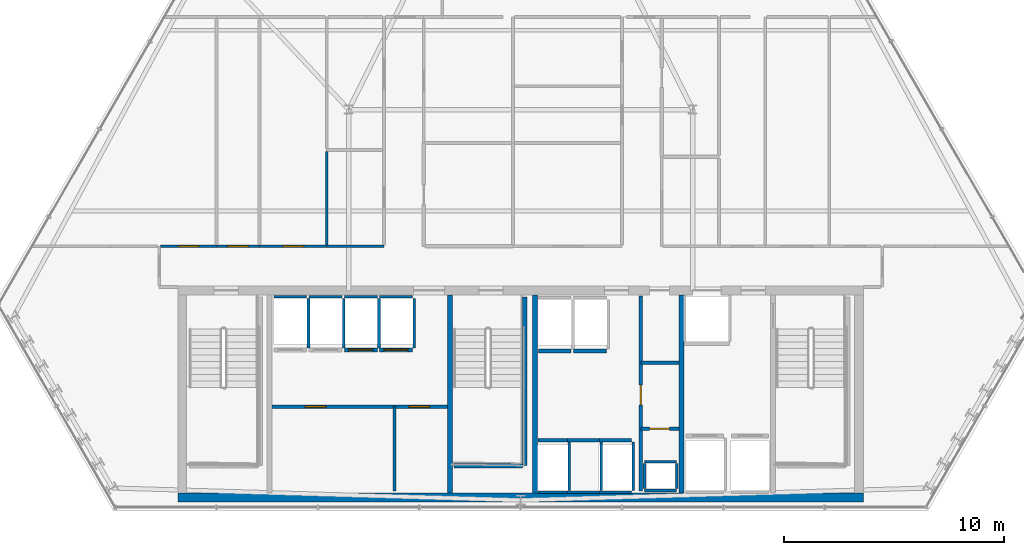
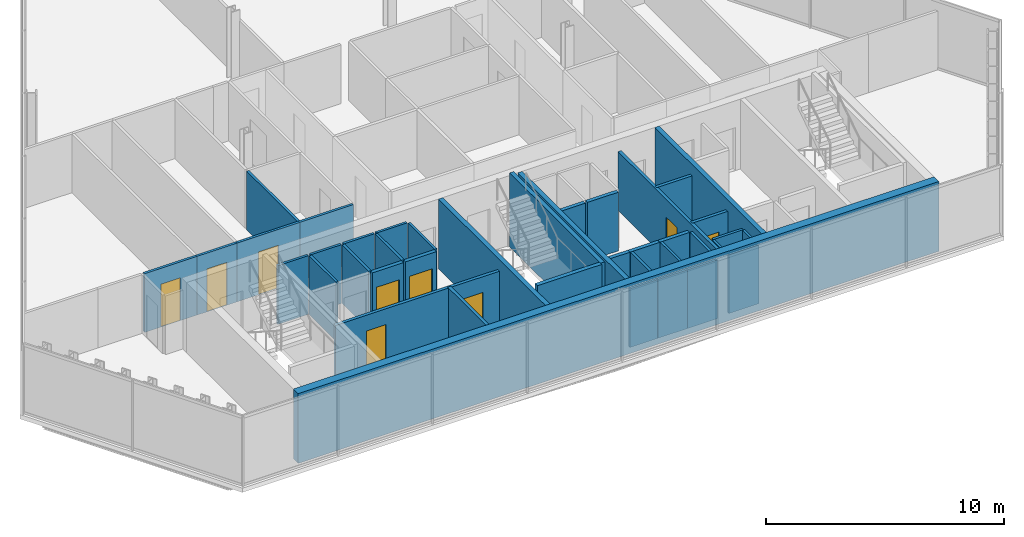
# One storey, part 27 of 33: 41 walls, 9 doors, 9 openings.
"""IFC4 building model written with IfcOpenShell, lengths in metres."""

import ifcopenshell
import ifcopenshell.guid

model = None  # the IFC model being written
_history = None  # IfcOwnerHistory: only IFC2X3 demands one
_inside = {}  # id of a spatial element -> (the spatial element, [elements in it])
_under = {}  # id of a project, library or spatial element -> (it, [spatial elements below it])
_declared = {}  # id of a project -> (the project, [libraries it declares])
_typed = {}  # id of a type object -> (the type object, [elements of that type])
_made_of = {}  # id of a material, layer set ... -> (it, [elements and type objects made of it])


def new_model(schema):
    """Start an empty IFC model of exactly this schema.

    Asked for "IFC4X3", IfcOpenShell would pick the latest addendum, in which some entities
    have other attributes; the version numbers below select the first issue.
    IFC2X3 requires an IfcOwnerHistory on every rooted entity: one is made here for all.
    """
    global model, _history
    if schema == "IFC4X3":
        model = ifcopenshell.file(schema_version=(4, 3, 0, 0))
    else:
        model = ifcopenshell.file(schema=schema)
    _inside.clear()
    _under.clear()
    _declared.clear()
    _typed.clear()
    _made_of.clear()
    _history = None
    if model.schema == "IFC2X3":
        org = make("IfcOrganization", Name="unknown")
        user = make(
            "IfcPersonAndOrganization",
            ThePerson=make("IfcPerson", FamilyName="unknown"),
            TheOrganization=org,
        )
        app = make(
            "IfcApplication",
            ApplicationDeveloper=org,
            Version="unknown",
            ApplicationFullName="unknown",
            ApplicationIdentifier="unknown",
        )
        _history = make(
            "IfcOwnerHistory",
            OwningUser=user,
            OwningApplication=app,
            ChangeAction="ADDED",
            CreationDate=0,
        )
    return model


def make(cls, **values):
    """One entity of the class cls with the attributes given. An attribute that is None is left unset."""
    return model.create_entity(
        cls, **{name: value for name, value in values.items() if value is not None}
    )


def rooted(cls, **values):
    """An entity with a GlobalId (a new one), such as an element, a storey or a relation."""
    return make(cls, GlobalId=ifcopenshell.guid.new(), OwnerHistory=_history, **values)


def si_unit(unit_type, name, prefix=None):
    """IfcSIUnit, for example si_unit("LENGTHUNIT", "METRE", prefix="MILLI")."""
    return make("IfcSIUnit", UnitType=unit_type, Prefix=prefix, Name=name)


def assignment(units):
    """IfcUnitAssignment: the units of a project."""
    return None if units is None else make("IfcUnitAssignment", Units=units)


def point(xyz):
    """IfcCartesianPoint."""
    return None if xyz is None else make("IfcCartesianPoint", Coordinates=xyz)


def direction(xyz):
    """IfcDirection."""
    return None if xyz is None else make("IfcDirection", DirectionRatios=xyz)


def frame(location, z_axis=None, x_axis=None):
    """IfcAxis2Placement3D, a coordinate frame: its origin and axes. An axis left out is left unset."""
    return make(
        "IfcAxis2Placement3D",
        Location=point(location),
        Axis=direction(z_axis),
        RefDirection=direction(x_axis),
    )


def frame_2d(location, x_axis=None):
    """IfcAxis2Placement2D, a coordinate frame in the plane: its origin and x axis."""
    return make(
        "IfcAxis2Placement2D", Location=point(location), RefDirection=direction(x_axis)
    )


def origin():
    """The frame at (0, 0, 0) with its axes left unset."""
    return frame((0.0, 0.0, 0.0))


def place(relative_to, where):
    """IfcLocalPlacement: puts the frame where relative to a parent placement (None: the world)."""
    return make(
        "IfcLocalPlacement", PlacementRelTo=relative_to, RelativePlacement=where
    )


def context(
    kind, dimensions, precision=None, world=None, true_north=None, identifier=None
):
    """IfcGeometricRepresentationContext, for example the 3D "Model" context."""
    return make(
        "IfcGeometricRepresentationContext",
        ContextIdentifier=identifier,
        ContextType=kind,
        CoordinateSpaceDimension=dimensions,
        Precision=precision,
        WorldCoordinateSystem=world,
        TrueNorth=true_north,
    )


def subcontext(parent, identifier, kind, view, scale=None):
    """IfcGeometricRepresentationSubContext, for example "Body" below "Model"."""
    return make(
        "IfcGeometricRepresentationSubContext",
        ContextIdentifier=identifier,
        ContextType=kind,
        ParentContext=parent,
        TargetScale=scale,
        TargetView=view,
    )


def project(units=None, contexts=None):
    """IfcProject with its units and contexts."""
    return rooted(
        "IfcProject",
        Name="project",
        RepresentationContexts=contexts,
        UnitsInContext=assignment(units),
    )


def spatial(cls, under=None, at=None, **own):
    """A site, building, storey or space (cls), placed at a placement, below another one or the project."""
    s = rooted(cls, ObjectPlacement=at, **own)
    if under is not None:
        _under.setdefault(under.id(), (under, []))[1].append(s)
    return s


def profile(cls, at=None, kind="AREA", **sizes):
    """A parametric profile (cls). Its sizes go by their IFC names, for example OverallWidth=200.0."""
    return make(cls, ProfileType=kind, Position=at, **sizes)


def rectangle(**sizes):
    """IfcRectangleProfileDef."""
    return profile("IfcRectangleProfileDef", **sizes)


def extrude(swept, where, along, depth):
    """IfcExtrudedAreaSolid: the profile swept, set in the frame where, extruded along a direction by depth."""
    return make(
        "IfcExtrudedAreaSolid",
        SweptArea=swept,
        Position=where,
        ExtrudedDirection=direction(along),
        Depth=depth,
    )


def shape(context_of_items, identifier, shape_type, items):
    """IfcShapeRepresentation: the items that make up one representation, for example the "Body"."""
    return make(
        "IfcShapeRepresentation",
        ContextOfItems=context_of_items,
        RepresentationIdentifier=identifier,
        RepresentationType=shape_type,
        Items=items,
    )


def material(Name=None, Category=None):
    """IfcMaterial."""
    return make("IfcMaterial", Name=Name, Category=Category)


def layer(
    of_material, thickness, ventilated=None, Name=None, Category=None, Priority=None
):
    """IfcMaterialLayer: one layer of a wall or slab, of a material (None: an air gap)."""
    return make(
        "IfcMaterialLayer",
        Material=of_material,
        LayerThickness=thickness,
        IsVentilated=ventilated,
        Name=Name,
        Category=Category,
        Priority=Priority,
    )


def layer_set(layers, Name=None):
    """IfcMaterialLayerSet."""
    return make("IfcMaterialLayerSet", MaterialLayers=layers, LayerSetName=Name)


def made_of(thing, what):
    """Note that an element or type object is made of a material, layer set ...; save() writes the relation."""
    if what is not None:
        _made_of.setdefault(what.id(), (what, []))[1].append(thing)
    return thing


def type_object(cls, material=None, **own):
    """A type object (cls), such as IfcWallType, which elements share."""
    return made_of(rooted(cls, **own), material)


def element(
    cls,
    number,
    at=None,
    inside=None,
    cuts=None,
    type_object=None,
    material=None,
    context=None,
    identifier="Body",
    shape_type=None,
    held_by="IfcProductDefinitionShape",
    body=None,
    shapes=None,
    **own,
):
    """One element of the class cls, such as IfcWall. Its Tag is "e" and its number.

    at: its placement. inside: the storey or other place that contains it. cuts: it is an
    opening in that element (IfcRelVoidsElement). A single representation is given by context,
    identifier, shape_type and body (its items); several are given by shapes. held_by: the class
    of the entity that holds the representations. save() writes the other relations.
    """
    e = rooted(cls, Tag="e%d" % number, ObjectPlacement=at, **own)
    if body is not None:
        shapes = [shape(context, identifier, shape_type, body)]
    if shapes is not None:
        e.Representation = make(held_by, Representations=shapes)
    if inside is not None:
        _inside.setdefault(inside.id(), (inside, []))[1].append(e)
    if cuts is not None:
        rooted(
            "IfcRelVoidsElement", RelatingBuildingElement=cuts, RelatedOpeningElement=e
        )
    if type_object is not None:
        _typed.setdefault(type_object.id(), (type_object, []))[1].append(e)
    return made_of(e, material)


def fill(opening, filler):
    """IfcRelFillsElement: the door or window that sits in an opening."""
    return rooted(
        "IfcRelFillsElement",
        RelatingOpeningElement=opening,
        RelatedBuildingElement=filler,
    )


def aggregate(whole, parts):
    """IfcRelAggregates: a whole, such as a stair, and the parts it consists of."""
    return rooted("IfcRelAggregates", RelatingObject=whole, RelatedObjects=parts)


def save(model, path):
    """Write the relations noted so far, then the file.

    IfcRelAggregates (storeys below a building ...), IfcRelContainedInSpatialStructure (elements
    in a storey), IfcRelDefinesByType, IfcRelAssociatesMaterial and IfcRelDeclares: one each for
    every whole, place, type object, material and project.
    """
    for whole, parts in _under.values():
        aggregate(whole, parts)
    for where, things in _inside.values():
        rooted(
            "IfcRelContainedInSpatialStructure",
            RelatedElements=things,
            RelatingStructure=where,
        )
    for kind, things in _typed.values():
        rooted("IfcRelDefinesByType", RelatedObjects=things, RelatingType=kind)
    for what, things in _made_of.values():
        rooted("IfcRelAssociatesMaterial", RelatedObjects=things, RelatingMaterial=what)
    for by, libraries in _declared.values():
        rooted("IfcRelDeclares", RelatingContext=by, RelatedDefinitions=libraries)
    model.write(path)


model = new_model("IFC4")

# Units and contexts
model_context = context("Model", 3, precision=1e-05, world=origin(), true_north=direction((0.0, 1.0)))
body_context = subcontext(model_context, "Body", "Model", "MODEL_VIEW")
ifc_project = project(units=[si_unit("LENGTHUNIT", "METRE"), si_unit("AREAUNIT", "SQUARE_METRE"), si_unit("VOLUMEUNIT", "CUBIC_METRE"), si_unit("PLANEANGLEUNIT", "RADIAN"), si_unit("MASSUNIT", "GRAM", prefix="KILO")], contexts=[model_context])

# Site, building, storey
site_placement = place(None, origin())
site = spatial("IfcSite", under=ifc_project, at=site_placement, CompositionType="ELEMENT")
building_placement = place(site_placement, origin())
building = spatial("IfcBuilding", under=site, at=building_placement, Name="Ndaravel Arena Tower", CompositionType="ELEMENT")
storey_placement = place(building_placement, frame((0.0, 0.0, 165.0)))
storey = spatial("IfcBuildingStorey", under=building, at=storey_placement, Name="L39", CompositionType="ELEMENT", Elevation=165.0)

# Wall, opening, door
ifc_material_1 = material(Name="Gypsum", Category="gypsum")
ifc_layer_1 = layer(ifc_material_1, 0.14990234375)
ifc_layer_set_1 = layer_set([ifc_layer_1], Name="Gypsum")
wall_type_1 = type_object("IfcWallType", Name="WALL-COMP-150", PredefinedType="PARTITIONING", material=ifc_layer_set_1)
wall_1_placement = place(storey_placement, frame((47.449951171875, 5.89990234375, 0.0), z_axis=(0.0, 0.0, 1.0), x_axis=(0.0, 1.0, 0.0)))
wall_1 = element("IfcWall", 1, at=wall_1_placement, inside=storey, type_object=wall_type_1, Name="L39 Core Riser Bay Partition", PredefinedType="PARTITIONING", context=body_context, shape_type="SweptSolid", body=[
    extrude(rectangle(XDim=8.85009765625, YDim=0.14990234375, at=frame_2d((4.425048828125, 0.0))), origin(), (0.0, 0.0, 1.0), 3.010498046875),
])
opening_1_placement = place(wall_1_placement, frame((3.89990234375, 0.0, 0.0)))
opening_1 = element("IfcOpeningElement", 2, at=opening_1_placement, cuts=wall_1, Name="Opening RD-01", PredefinedType="OPENING", context=body_context, shape_type="SweptSolid", body=[
    extrude(rectangle(XDim=0.89990234375, YDim=2.10009765625, at=frame_2d((0.449951171875, 1.050048828125))), frame((0.0, 0.074951171875, 0.0), z_axis=(0.0, -1.0, 0.0), x_axis=(1.0, 0.0, 0.0)), (0.0, 0.0, 1.0), 0.14990234375),
])
ifc_material_2 = material(Name="Steel S355", Category="steel")
door_type_1 = type_object("IfcDoorType", Name="DT-08-RISER-900", OperationType="SINGLE_SWING_LEFT", PredefinedType="DOOR", material=ifc_material_2)
door_1_placement = place(opening_1_placement, origin())
door_1 = element("IfcDoor", 3, at=door_1_placement, inside=storey, type_object=door_type_1, Name="L39 Plumbing Riser Door", OperationType="SINGLE_SWING_LEFT", OverallHeight=2.10009765625, OverallWidth=0.89990234375, PredefinedType="DOOR", context=body_context, shape_type="SweptSolid", body=[
    extrude(rectangle(XDim=0.89990234375, YDim=2.10009765625, at=frame_2d((0.449951171875, 1.050048828125))), frame((0.0, 0.02490234375, 0.0), z_axis=(0.0, -1.0, 0.0), x_axis=(1.0, 0.0, 0.0)), (0.0, 0.0, 1.0), 0.050048828125),
])
fill(opening_1, door_1)

wall_2_placement = place(storey_placement, frame((47.449951171875, 8.719970703125, 0.0), z_axis=(0.0, 0.0, 1.0), x_axis=(1.0, 0.0, 0.0)))
wall_2 = element("IfcWall", 4, at=wall_2_placement, inside=storey, type_object=wall_type_1, Name="L39 Core Riser Divider 1", PredefinedType="PARTITIONING", context=body_context, shape_type="SweptSolid", body=[
    extrude(rectangle(XDim=1.72998046875, YDim=0.14990234375, at=frame_2d((0.864990234375, 0.0))), origin(), (0.0, 0.0, 1.0), 3.010498046875),
])
opening_2_placement = place(wall_2_placement, frame((0.39990234375, 0.0, 0.0)))
opening_2 = element("IfcOpeningElement", 5, at=opening_2_placement, cuts=wall_2, Name="Opening RD-01", PredefinedType="OPENING", context=body_context, shape_type="SweptSolid", body=[
    extrude(rectangle(XDim=0.89990234375, YDim=2.10009765625, at=frame_2d((0.449951171875, 1.050048828125))), frame((0.0, 0.074951171875, 0.0), z_axis=(0.0, -1.0, 0.0), x_axis=(1.0, 0.0, 0.0)), (0.0, 0.0, 1.0), 0.14990234375),
])
door_2_placement = place(opening_2_placement, origin())
door_2 = element("IfcDoor", 6, at=door_2_placement, inside=storey, type_object=door_type_1, Name="L39 Low-Voltage Riser Door", OperationType="SINGLE_SWING_RIGHT", OverallHeight=2.10009765625, OverallWidth=0.89990234375, PredefinedType="DOOR", context=body_context, shape_type="SweptSolid", body=[
    extrude(rectangle(XDim=0.89990234375, YDim=2.10009765625, at=frame_2d((0.449951171875, 1.050048828125))), frame((0.0, 0.02490234375, 0.0), z_axis=(0.0, -1.0, 0.0), x_axis=(1.0, 0.0, 0.0)), (0.0, 0.0, 1.0), 0.050048828125),
])
fill(opening_2, door_2)

# Wall
wall_3_placement = place(storey_placement, frame((47.449951171875, 11.719970703125, 0.0), z_axis=(0.0, 0.0, 1.0), x_axis=(1.0, 0.0, 0.0)))
element("IfcWall", 7, at=wall_3_placement, inside=storey, type_object=wall_type_1, Name="L39 Core Riser Divider 2", PredefinedType="PARTITIONING", context=body_context, shape_type="SweptSolid", body=[
    extrude(rectangle(XDim=1.72998046875, YDim=0.14990234375, at=frame_2d((0.864990234375, 0.0))), origin(), (0.0, 0.0, 1.0), 3.010498046875),
])

# Wall, openings, doors
wall_4_placement = place(storey_placement, frame((30.719970703125, 9.719970703125, 0.0), z_axis=(0.0, 0.0, 1.0), x_axis=(1.0, 0.0, 0.0)))
wall_4 = element("IfcWall", 8, at=wall_4_placement, inside=storey, type_object=wall_type_1, Name="L39 Reclaimed Shaft Partition", PredefinedType="PARTITIONING", context=body_context, shape_type="SweptSolid", body=[
    extrude(rectangle(XDim=7.9599609375, YDim=0.14990234375, at=frame_2d((3.97998046875, 0.0))), origin(), (0.0, 0.0, 1.0), 3.010498046875),
])
opening_3_placement = place(wall_4_placement, frame((1.5, 0.0, 0.0)))
opening_3 = element("IfcOpeningElement", 9, at=opening_3_placement, cuts=wall_4, Name="Opening FD-03", PredefinedType="OPENING", context=body_context, shape_type="SweptSolid", body=[
    extrude(rectangle(XDim=0.949951171875, YDim=2.199951171875, at=frame_2d((0.47509765625, 1.10009765625))), frame((0.0, 0.074951171875, 0.0), z_axis=(0.0, -1.0, 0.0), x_axis=(1.0, 0.0, 0.0)), (0.0, 0.0, 1.0), 0.14990234375),
])
opening_4_placement = place(wall_4_placement, frame((6.2099609375, 0.0, 0.0)))
opening_4 = element("IfcOpeningElement", 10, at=opening_4_placement, cuts=wall_4, Name="Opening FD-03", PredefinedType="OPENING", context=body_context, shape_type="SweptSolid", body=[
    extrude(rectangle(XDim=0.949951171875, YDim=2.199951171875, at=frame_2d((0.47509765625, 1.10009765625))), frame((0.0, 0.074951171875, 0.0), z_axis=(0.0, -1.0, 0.0), x_axis=(1.0, 0.0, 0.0)), (0.0, 0.0, 1.0), 0.14990234375),
])
ifc_material_3 = material(Name="Steel S355", Category="steel")
door_type_2 = type_object("IfcDoorType", Name="DT-11-CORE-950", OperationType="SINGLE_SWING_LEFT", PredefinedType="DOOR", material=ifc_material_3)
door_3_placement = place(opening_3_placement, origin())
door_3 = element("IfcDoor", 11, at=door_3_placement, inside=storey, type_object=door_type_2, Name="L39 ICT Server Room Door", OperationType="SINGLE_SWING_LEFT", OverallHeight=2.199951171875, OverallWidth=0.949951171875, PredefinedType="DOOR", context=body_context, shape_type="SweptSolid", body=[
    extrude(rectangle(XDim=0.949951171875, YDim=2.199951171875, at=frame_2d((0.47509765625, 1.10009765625))), frame((0.0, 0.02490234375, 0.0), z_axis=(0.0, -1.0, 0.0), x_axis=(1.0, 0.0, 0.0)), (0.0, 0.0, 1.0), 0.050048828125),
])
fill(opening_3, door_3)
door_4_placement = place(opening_4_placement, origin())
door_4 = element("IfcDoor", 12, at=door_4_placement, inside=storey, type_object=door_type_2, Name="L39 Core Archive Room Door", OperationType="SINGLE_SWING_RIGHT", OverallHeight=2.199951171875, OverallWidth=0.949951171875, PredefinedType="DOOR", context=body_context, shape_type="SweptSolid", body=[
    extrude(rectangle(XDim=0.949951171875, YDim=2.199951171875, at=frame_2d((0.47509765625, 1.10009765625))), frame((0.0, 0.02490234375, 0.0), z_axis=(0.0, -1.0, 0.0), x_axis=(1.0, 0.0, 0.0)), (0.0, 0.0, 1.0), 0.050048828125),
])
fill(opening_4, door_4)

# Walls
wall_5_placement = place(storey_placement, frame((36.280029296875, 5.89990234375, 0.0), z_axis=(0.0, 0.0, 1.0), x_axis=(0.0, 1.0, 0.0)))
element("IfcWall", 13, at=wall_5_placement, inside=storey, type_object=wall_type_1, Name="L39 Reclaimed Bay Divider", PredefinedType="PARTITIONING", context=body_context, shape_type="SweptSolid", body=[
    extrude(rectangle(XDim=3.820068359375, YDim=0.14990234375, at=frame_2d((1.91015625, 0.0))), origin(), (0.0, 0.0, 1.0), 3.010498046875),
])
ifc_material_4 = material(Name="Concrete C50/60", Category="concrete")
ifc_layer_2 = layer(ifc_material_4, 0.219970703125)
ifc_layer_set_2 = layer_set([ifc_layer_2], Name="Concrete C50/60")
wall_type_2 = type_object("IfcWallType", Name="WALL-CORE-220", PredefinedType="SOLIDWALL", material=ifc_layer_set_2)
for number, where, z_axis, x_axis, name in (
    (14, (38.800048828125, 5.800048828125, 0.0), (0.0, 0.0, 1.0), (0.0, 1.0, 0.0), "L39 Core Web Shear Wall 2"),
    (15, (42.64990234375, 5.800048828125, 0.0), (0.0, 0.0, 1.0), (0.0, 1.0, 0.0), "L39 Core Web Shear Wall 3"),
    (16, (49.300048828125, 5.800048828125, 0.0), (0.0, 0.0, 1.0), (0.0, 1.0, 0.0), "L39 Core Web Shear Wall 4"),
):
    element("IfcWall", number, at=place(storey_placement, frame(where, z_axis=z_axis, x_axis=x_axis)), inside=storey, type_object=wall_type_2, Name=name, PredefinedType="SOLIDWALL", context=body_context, shape_type="SweptSolid", body=[
        extrude(rectangle(XDim=9.0, YDim=0.219970703125, at=frame_2d((4.5, 0.0))), origin(), (0.0, 0.0, 1.0), 3.580078125),
    ])
ifc_material_5 = material(Name="Concrete C50/60", Category="concrete")
ifc_layer_3 = layer(ifc_material_5, 0.39990234375)
ifc_layer_set_3 = layer_set([ifc_layer_3], Name="Concrete C50/60")
wall_type_3 = type_object("IfcWallType", Name="WALL-CORE-400", PredefinedType="SOLIDWALL", material=ifc_layer_set_3)
wall_6_placement = place(storey_placement, frame((26.449951171875, 5.60009765625, 0.0), z_axis=(0.0, 0.0, 1.0), x_axis=(1.0, 0.0, 0.0)))
element("IfcWall", 17, at=wall_6_placement, inside=storey, type_object=wall_type_3, Name="L39 Core South Shear Wall", PredefinedType="SOLIDWALL", context=body_context, shape_type="SweptSolid", body=[
    extrude(rectangle(XDim=31.10009765625, YDim=0.39990234375, at=frame_2d((15.550048828125, 0.0))), origin(), (0.0, 0.0, 1.0), 3.580078125),
])

# Wall, opening, door
ifc_material_6 = material(Name="Gypsum", Category="gypsum")
ifc_layer_4 = layer(ifc_material_6, 0.125)
ifc_layer_set_4 = layer_set([ifc_layer_4], Name="Gypsum")
wall_type_4 = type_object("IfcWallType", Name="WALL-PART-125", PredefinedType="PARTITIONING", material=ifc_layer_set_4)
wall_7_placement = place(storey_placement, frame((25.6650390625, 17.0, 0.0), z_axis=(0.0, 0.0, 1.0), x_axis=(1.0, 0.0, 0.0)))
wall_7 = element("IfcWall", 18, at=wall_7_placement, inside=storey, type_object=wall_type_4, Name="L39 Interior Partition 005", PredefinedType="PARTITIONING", context=body_context, shape_type="SweptSolid", body=[
    extrude(rectangle(XDim=2.534912109375, YDim=0.125, at=frame_2d((1.267578125, 0.0))), origin(), (0.0, 0.0, 1.0), 3.010498046875),
])
opening_5_placement = place(wall_7_placement, frame((0.79248046875, 0.0, 0.0)))
opening_5 = element("IfcOpeningElement", 19, at=opening_5_placement, cuts=wall_7, Name="Opening ID-01", PredefinedType="OPENING", context=body_context, shape_type="SweptSolid", body=[
    extrude(rectangle(XDim=0.949951171875, YDim=2.199951171875, at=frame_2d((0.47509765625, 1.10009765625))), frame((0.0, 0.0625, 0.0), z_axis=(0.0, -1.0, 0.0), x_axis=(1.0, 0.0, 0.0)), (0.0, 0.0, 1.0), 0.125),
])
ifc_material_7 = material(Name="Timber", Category="wood")
door_type_3 = type_object("IfcDoorType", Name="DT-03-OFFICE-950", OperationType="SINGLE_SWING_LEFT", PredefinedType="DOOR", material=ifc_material_7)
door_5_placement = place(opening_5_placement, origin())
door_5 = element("IfcDoor", 20, at=door_5_placement, inside=storey, type_object=door_type_3, Name="L39 Occupational Consult Room 2 Door", OperationType="SINGLE_SWING_LEFT", OverallHeight=2.199951171875, OverallWidth=0.949951171875, PredefinedType="DOOR", context=body_context, shape_type="SweptSolid", body=[
    extrude(rectangle(XDim=0.949951171875, YDim=2.199951171875, at=frame_2d((0.47509765625, 1.10009765625))), frame((0.0, 0.02490234375, 0.0), z_axis=(0.0, -1.0, 0.0), x_axis=(1.0, 0.0, 0.0)), (0.0, 0.0, 1.0), 0.050048828125),
])
fill(opening_5, door_5)

wall_8_placement = place(storey_placement, frame((28.199951171875, 17.0, 0.0), z_axis=(0.0, 0.0, 1.0), x_axis=(1.0, 0.0, 0.0)))
wall_8 = element("IfcWall", 21, at=wall_8_placement, inside=storey, type_object=wall_type_4, Name="L39 Interior Partition 006", PredefinedType="PARTITIONING", context=body_context, shape_type="SweptSolid", body=[
    extrude(rectangle(XDim=1.949951171875, YDim=0.125, at=frame_2d((0.97509765625, 0.0))), origin(), (0.0, 0.0, 1.0), 3.010498046875),
])
opening_6_placement = place(wall_8_placement, frame((0.5, 0.0, 0.0)))
opening_6 = element("IfcOpeningElement", 22, at=opening_6_placement, cuts=wall_8, Name="Opening ID-01", PredefinedType="OPENING", context=body_context, shape_type="SweptSolid", body=[
    extrude(rectangle(XDim=0.949951171875, YDim=2.199951171875, at=frame_2d((0.47509765625, 1.10009765625))), frame((0.0, 0.0625, 0.0), z_axis=(0.0, -1.0, 0.0), x_axis=(1.0, 0.0, 0.0)), (0.0, 0.0, 1.0), 0.125),
])
door_6_placement = place(opening_6_placement, origin())
door_6 = element("IfcDoor", 23, at=door_6_placement, inside=storey, type_object=door_type_3, Name="L39 Medical First Aid Clinic 3 Door", OperationType="SINGLE_SWING_RIGHT", OverallHeight=2.199951171875, OverallWidth=0.949951171875, PredefinedType="DOOR", context=body_context, shape_type="SweptSolid", body=[
    extrude(rectangle(XDim=0.949951171875, YDim=2.199951171875, at=frame_2d((0.47509765625, 1.10009765625))), frame((0.0, 0.02490234375, 0.0), z_axis=(0.0, -1.0, 0.0), x_axis=(1.0, 0.0, 0.0)), (0.0, 0.0, 1.0), 0.050048828125),
])
fill(opening_6, door_6)

wall_9_placement = place(storey_placement, frame((30.14990234375, 17.0, 0.0), z_axis=(0.0, 0.0, 1.0), x_axis=(1.0, 0.0, 0.0)))
wall_9 = element("IfcWall", 24, at=wall_9_placement, inside=storey, type_object=wall_type_4, Name="L39 Interior Partition 007", PredefinedType="PARTITIONING", context=body_context, shape_type="SweptSolid", body=[
    extrude(rectangle(XDim=3.050048828125, YDim=0.125, at=frame_2d((1.52490234375, 0.0))), origin(), (0.0, 0.0, 1.0), 3.010498046875),
])
opening_7_placement = place(wall_9_placement, frame((1.050048828125, 0.0, 0.0)))
opening_7 = element("IfcOpeningElement", 25, at=opening_7_placement, cuts=wall_9, Name="Opening ID-01", PredefinedType="OPENING", context=body_context, shape_type="SweptSolid", body=[
    extrude(rectangle(XDim=0.949951171875, YDim=2.199951171875, at=frame_2d((0.47509765625, 1.10009765625))), frame((0.0, 0.0625, 0.0), z_axis=(0.0, -1.0, 0.0), x_axis=(1.0, 0.0, 0.0)), (0.0, 0.0, 1.0), 0.125),
])
door_7_placement = place(opening_7_placement, origin())
door_7 = element("IfcDoor", 26, at=door_7_placement, inside=storey, type_object=door_type_3, Name="L39 Training Classroom 4 Door", OperationType="SINGLE_SWING_LEFT", OverallHeight=2.199951171875, OverallWidth=0.949951171875, PredefinedType="DOOR", context=body_context, shape_type="SweptSolid", body=[
    extrude(rectangle(XDim=0.949951171875, YDim=2.199951171875, at=frame_2d((0.47509765625, 1.10009765625))), frame((0.0, 0.02490234375, 0.0), z_axis=(0.0, -1.0, 0.0), x_axis=(1.0, 0.0, 0.0)), (0.0, 0.0, 1.0), 0.050048828125),
])
fill(opening_7, door_7)

# Walls
wall_10_placement = place(storey_placement, frame((33.199951171875, 17.0, 0.0), z_axis=(0.0, 0.0, 1.0), x_axis=(1.0, 0.0, 0.0)))
element("IfcWall", 27, at=wall_10_placement, inside=storey, type_object=wall_type_4, Name="L39 Interior Partition 008", PredefinedType="PARTITIONING", context=body_context, shape_type="SweptSolid", body=[
    extrude(rectangle(XDim=2.60009765625, YDim=0.125, at=frame_2d((1.300048828125, 0.0))), origin(), (0.0, 0.0, 1.0), 3.010498046875),
])
wall_11_placement = place(storey_placement, frame((33.199951171875, 17.06494140625, 0.0), z_axis=(0.0, 0.0, 1.0), x_axis=(0.0, 1.0, 0.0)))
element("IfcWall", 28, at=wall_11_placement, inside=storey, type_object=wall_type_4, Name="L39 Interior Partition 033", PredefinedType="PARTITIONING", context=body_context, shape_type="SweptSolid", body=[
    extrude(rectangle(XDim=4.238037109375, YDim=0.125, at=frame_2d((2.119140625, 0.0))), origin(), (0.0, 0.0, 1.0), 3.010498046875),
])
ifc_material_8 = material(Name="Concrete C40/50", Category="concrete")
ifc_layer_5 = layer(ifc_material_8, 0.1201171875)
ifc_layer_set_5 = layer_set([ifc_layer_5], Name="Concrete C40/50")
wall_type_5 = type_object("IfcWallType", Name="WALL-SHAFT-120", PredefinedType="SOLIDWALL", material=ifc_layer_set_5)
for number, where, z_axis, x_axis, name in (
    (29, (47.6201171875, 5.919921875, 0.0), (0.0, 0.0, 1.0), (1.0, 0.0, 0.0), "L39 MEP Riser Shaft S Wall"),
    (30, (47.6201171875, 7.219970703125, 0.0), (0.0, 0.0, 1.0), (1.0, 0.0, 0.0), "L39 MEP Riser Shaft N Wall"),
):
    element("IfcWall", number, at=place(storey_placement, frame(where, z_axis=z_axis, x_axis=x_axis)), inside=storey, type_object=wall_type_5, Name=name, PredefinedType="SOLIDWALL", context=body_context, shape_type="SweptSolid", body=[
        extrude(rectangle(XDim=1.4599609375, YDim=0.1201171875, at=frame_2d((0.72998046875, 0.0))), origin(), (0.0, 0.0, 1.0), 3.010498046875),
    ])
for number, where, z_axis, x_axis, name in (
    (31, (47.6201171875, 6.0, 0.0), (0.0, 0.0, 1.0), (0.0, 1.0, 0.0), "L39 MEP Riser Shaft W Wall"),
    (32, (49.080078125, 6.0, 0.0), (0.0, 0.0, 1.0), (0.0, 1.0, 0.0), "L39 MEP Riser Shaft E Wall"),
):
    element("IfcWall", number, at=place(storey_placement, frame(where, z_axis=z_axis, x_axis=x_axis)), inside=storey, type_object=wall_type_5, Name=name, PredefinedType="SOLIDWALL", context=body_context, shape_type="SweptSolid", body=[
        extrude(rectangle(XDim=1.139892578125, YDim=0.1201171875, at=frame_2d((0.56982421875, 0.0))), origin(), (0.0, 0.0, 1.0), 3.010498046875),
    ])
wall_12_placement = place(storey_placement, frame((30.804931640625, 14.7099609375, 0.0), z_axis=(0.0, 0.0, 1.0), x_axis=(1.0, 0.0, 0.0)))
element("IfcWall", 33, at=wall_12_placement, inside=storey, type_object=wall_type_5, Name="L39 PL-M1 Shaft Rear Wall", PredefinedType="SOLIDWALL", context=body_context, shape_type="SweptSolid", body=[
    extrude(rectangle(XDim=1.489990234375, YDim=0.1201171875, at=frame_2d((0.7451171875, 0.0))), origin(), (0.0, 0.0, 1.0), 3.010498046875),
])
wall_13_placement = place(storey_placement, frame((32.375, 12.389892578125, 0.0), z_axis=(0.0, 0.0, 1.0), x_axis=(0.0, 1.0, 0.0)))
element("IfcWall", 34, at=wall_13_placement, inside=storey, type_object=wall_type_5, Name="L39 PL-M1 Shaft Side R Wall", PredefinedType="SOLIDWALL", context=body_context, shape_type="SweptSolid", body=[
    extrude(rectangle(XDim=2.230224609375, YDim=0.1201171875, at=frame_2d((1.115234375, 0.0))), origin(), (0.0, 0.0, 1.0), 3.010498046875),
])
wall_14_placement = place(storey_placement, frame((32.405029296875, 14.7099609375, 0.0), z_axis=(0.0, 0.0, 1.0), x_axis=(1.0, 0.0, 0.0)))
element("IfcWall", 35, at=wall_14_placement, inside=storey, type_object=wall_type_5, Name="L39 PL-M2 Shaft Rear Wall", PredefinedType="SOLIDWALL", context=body_context, shape_type="SweptSolid", body=[
    extrude(rectangle(XDim=1.489990234375, YDim=0.1201171875, at=frame_2d((0.7451171875, 0.0))), origin(), (0.0, 0.0, 1.0), 3.010498046875),
])
wall_15_placement = place(storey_placement, frame((33.97509765625, 12.389892578125, 0.0), z_axis=(0.0, 0.0, 1.0), x_axis=(0.0, 1.0, 0.0)))
element("IfcWall", 36, at=wall_15_placement, inside=storey, type_object=wall_type_5, Name="L39 PL-M2 Shaft Side R Wall", PredefinedType="SOLIDWALL", context=body_context, shape_type="SweptSolid", body=[
    extrude(rectangle(XDim=2.230224609375, YDim=0.1201171875, at=frame_2d((1.115234375, 0.0))), origin(), (0.0, 0.0, 1.0), 3.010498046875),
])
wall_16_placement = place(storey_placement, frame((34.0048828125, 14.7099609375, 0.0), z_axis=(0.0, 0.0, 1.0), x_axis=(1.0, 0.0, 0.0)))
element("IfcWall", 37, at=wall_16_placement, inside=storey, type_object=wall_type_5, Name="L39 PL-M3 Shaft Rear Wall", PredefinedType="SOLIDWALL", context=body_context, shape_type="SweptSolid", body=[
    extrude(rectangle(XDim=1.490234375, YDim=0.1201171875, at=frame_2d((0.7451171875, 0.0))), origin(), (0.0, 0.0, 1.0), 3.010498046875),
])
wall_17_placement = place(storey_placement, frame((35.574951171875, 12.389892578125, 0.0), z_axis=(0.0, 0.0, 1.0), x_axis=(0.0, 1.0, 0.0)))
element("IfcWall", 38, at=wall_17_placement, inside=storey, type_object=wall_type_5, Name="L39 PL-M3 Shaft Side R Wall", PredefinedType="SOLIDWALL", context=body_context, shape_type="SweptSolid", body=[
    extrude(rectangle(XDim=2.230224609375, YDim=0.1201171875, at=frame_2d((1.115234375, 0.0))), origin(), (0.0, 0.0, 1.0), 3.010498046875),
])
wall_18_placement = place(storey_placement, frame((35.60498046875, 14.7099609375, 0.0), z_axis=(0.0, 0.0, 1.0), x_axis=(1.0, 0.0, 0.0)))
element("IfcWall", 39, at=wall_18_placement, inside=storey, type_object=wall_type_5, Name="L39 PL-M4 Shaft Rear Wall", PredefinedType="SOLIDWALL", context=body_context, shape_type="SweptSolid", body=[
    extrude(rectangle(XDim=1.489990234375, YDim=0.1201171875, at=frame_2d((0.7451171875, 0.0))), origin(), (0.0, 0.0, 1.0), 3.010498046875),
])
wall_19_placement = place(storey_placement, frame((37.175048828125, 12.389892578125, 0.0), z_axis=(0.0, 0.0, 1.0), x_axis=(0.0, 1.0, 0.0)))
element("IfcWall", 40, at=wall_19_placement, inside=storey, type_object=wall_type_5, Name="L39 PL-M4 Shaft Side R Wall", PredefinedType="SOLIDWALL", context=body_context, shape_type="SweptSolid", body=[
    extrude(rectangle(XDim=2.230224609375, YDim=0.1201171875, at=frame_2d((1.115234375, 0.0))), origin(), (0.0, 0.0, 1.0), 3.010498046875),
])
wall_20_placement = place(storey_placement, frame((42.780029296875, 5.840087890625, 0.0), z_axis=(0.0, 0.0, 1.0), x_axis=(1.0, 0.0, 0.0)))
element("IfcWall", 41, at=wall_20_placement, inside=storey, type_object=wall_type_5, Name="L39 PL-H1 Shaft Rear Wall", PredefinedType="SOLIDWALL", context=body_context, shape_type="SweptSolid", body=[
    extrude(rectangle(XDim=1.340087890625, YDim=0.1201171875, at=frame_2d((0.669921875, 0.0))), origin(), (0.0, 0.0, 1.0), 3.010498046875),
])
wall_21_placement = place(storey_placement, frame((44.199951171875, 5.929931640625, 0.0), z_axis=(0.0, 0.0, 1.0), x_axis=(0.0, 1.0, 0.0)))
element("IfcWall", 42, at=wall_21_placement, inside=storey, type_object=wall_type_5, Name="L39 PL-H1 Shaft Side R Wall", PredefinedType="SOLIDWALL", context=body_context, shape_type="SweptSolid", body=[
    extrude(rectangle(XDim=2.18017578125, YDim=0.1201171875, at=frame_2d((1.090087890625, 0.0))), origin(), (0.0, 0.0, 1.0), 3.010498046875),
])
wall_22_placement = place(storey_placement, frame((44.1298828125, 5.840087890625, 0.0), z_axis=(0.0, 0.0, 1.0), x_axis=(1.0, 0.0, 0.0)))
element("IfcWall", 43, at=wall_22_placement, inside=storey, type_object=wall_type_5, Name="L39 PL-H2 Shaft Rear Wall", PredefinedType="SOLIDWALL", context=body_context, shape_type="SweptSolid", body=[
    extrude(rectangle(XDim=1.440185546875, YDim=0.1201171875, at=frame_2d((0.72021484375, 0.0))), origin(), (0.0, 0.0, 1.0), 3.010498046875),
])
wall_23_placement = place(storey_placement, frame((45.64990234375, 5.929931640625, 0.0), z_axis=(0.0, 0.0, 1.0), x_axis=(0.0, 1.0, 0.0)))
element("IfcWall", 44, at=wall_23_placement, inside=storey, type_object=wall_type_5, Name="L39 PL-H2 Shaft Side R Wall", PredefinedType="SOLIDWALL", context=body_context, shape_type="SweptSolid", body=[
    extrude(rectangle(XDim=2.18017578125, YDim=0.1201171875, at=frame_2d((1.090087890625, 0.0))), origin(), (0.0, 0.0, 1.0), 3.010498046875),
])
wall_24_placement = place(storey_placement, frame((45.580078125, 5.840087890625, 0.0), z_axis=(0.0, 0.0, 1.0), x_axis=(1.0, 0.0, 0.0)))
element("IfcWall", 45, at=wall_24_placement, inside=storey, type_object=wall_type_5, Name="L39 PL-H3 Shaft Rear Wall", PredefinedType="SOLIDWALL", context=body_context, shape_type="SweptSolid", body=[
    extrude(rectangle(XDim=1.43994140625, YDim=0.1201171875, at=frame_2d((0.719970703125, 0.0))), origin(), (0.0, 0.0, 1.0), 3.010498046875),
])
wall_25_placement = place(storey_placement, frame((47.10009765625, 5.929931640625, 0.0), z_axis=(0.0, 0.0, 1.0), x_axis=(0.0, 1.0, 0.0)))
element("IfcWall", 46, at=wall_25_placement, inside=storey, type_object=wall_type_5, Name="L39 PL-H3 Shaft Side R Wall", PredefinedType="SOLIDWALL", context=body_context, shape_type="SweptSolid", body=[
    extrude(rectangle(XDim=2.18017578125, YDim=0.1201171875, at=frame_2d((1.090087890625, 0.0))), origin(), (0.0, 0.0, 1.0), 3.010498046875),
])
ifc_material_9 = material(Name="Concrete C40/50", Category="concrete")
ifc_layer_6 = layer(ifc_material_9, 0.199951171875)
ifc_layer_set_6 = layer_set([ifc_layer_6], Name="Concrete C40/50")
wall_type_6 = type_object("IfcWallType", Name="WALL-SHAFT-200", PredefinedType="SOLIDWALL", material=ifc_layer_set_6)
wall_26_placement = place(storey_placement, frame((42.18994140625, 14.699951171875, 0.0), z_axis=(0.0, 0.0, 1.0), x_axis=(0.0, -1.0, 0.0)))
element("IfcWall", 47, at=wall_26_placement, inside=storey, type_object=wall_type_6, Name="L39 ST-2 Structural Shaft Wall Right", PredefinedType="SOLIDWALL", context=body_context, shape_type="SweptSolid", body=[
    extrude(rectangle(XDim=7.64990234375, YDim=0.199951171875, at=frame_2d((3.824951171875, 0.0))), origin(), (0.0, 0.0, 1.0), 3.800048828125),
])
wall_27_placement = place(storey_placement, frame((38.969970703125, 7.050048828125, 0.0), z_axis=(0.0, 0.0, 1.0), x_axis=(1.0, 0.0, 0.0)))
element("IfcWall", 48, at=wall_27_placement, inside=storey, type_object=wall_type_6, Name="L39 ST-2 Structural Shaft Wall Far", PredefinedType="SOLIDWALL", context=body_context, shape_type="SweptSolid", body=[
    extrude(rectangle(XDim=3.114990234375, YDim=0.199951171875, at=frame_2d((1.5576171875, 0.0))), origin(), (0.0, 0.0, 1.0), 3.800048828125),
])

# Wall, opening, door
wall_28_placement = place(storey_placement, frame((34.0048828125, 12.300048828125, 0.0), z_axis=(0.0, 0.0, 1.0), x_axis=(1.0, 0.0, 0.0)))
wall_28 = element("IfcWall", 49, at=wall_28_placement, inside=storey, type_object=wall_type_6, Name="L39 PL-M3 Shaft Landing Wall", PredefinedType="SOLIDWALL", context=body_context, shape_type="SweptSolid", body=[
    extrude(rectangle(XDim=1.490234375, YDim=0.179931640625, at=frame_2d((0.7451171875, 0.0))), origin(), (0.0, 0.0, 1.0), 3.010498046875),
])
opening_8_placement = place(wall_28_placement, frame((0.195068359375, 0.0, 0.0)))
opening_8 = element("IfcOpeningElement", 50, at=opening_8_placement, cuts=wall_28, Name="Opening LD-01", PredefinedType="OPENING", context=body_context, shape_type="SweptSolid", body=[
    extrude(rectangle(XDim=1.10009765625, YDim=2.199951171875, at=frame_2d((0.550048828125, 1.10009765625))), frame((0.0, 0.08984375, 0.0), z_axis=(0.0, -1.0, 0.0), x_axis=(1.0, 0.0, 0.0)), (0.0, 0.0, 1.0), 0.179931640625),
])
ifc_material_10 = material(Name="Steel S355", Category="steel")
door_type_4 = type_object("IfcDoorType", Name="DT-06-LIFT-1100", OperationType="SLIDING_TO_LEFT", PredefinedType="DOOR", material=ifc_material_10)
door_8_placement = place(opening_8_placement, origin())
door_8 = element("IfcDoor", 51, at=door_8_placement, inside=storey, type_object=door_type_4, Name="L39 Lift PL-M3 Sliding Landing Door", OperationType="SLIDING_TO_LEFT", OverallHeight=2.199951171875, OverallWidth=1.10009765625, PredefinedType="DOOR", context=body_context, shape_type="SweptSolid", body=[
    extrude(rectangle(XDim=1.10009765625, YDim=2.199951171875, at=frame_2d((0.550048828125, 1.10009765625))), frame((0.0, 0.02490234375, 0.0), z_axis=(0.0, -1.0, 0.0), x_axis=(1.0, 0.0, 0.0)), (0.0, 0.0, 1.0), 0.050048828125),
])
fill(opening_8, door_8)

wall_29_placement = place(storey_placement, frame((35.60498046875, 12.300048828125, 0.0), z_axis=(0.0, 0.0, 1.0), x_axis=(1.0, 0.0, 0.0)))
wall_29 = element("IfcWall", 52, at=wall_29_placement, inside=storey, type_object=wall_type_6, Name="L39 PL-M4 Shaft Landing Wall", PredefinedType="SOLIDWALL", context=body_context, shape_type="SweptSolid", body=[
    extrude(rectangle(XDim=1.489990234375, YDim=0.179931640625, at=frame_2d((0.7451171875, 0.0))), origin(), (0.0, 0.0, 1.0), 3.010498046875),
])
opening_9_placement = place(wall_29_placement, frame((0.195068359375, 0.0, 0.0)))
opening_9 = element("IfcOpeningElement", 53, at=opening_9_placement, cuts=wall_29, Name="Opening LD-01", PredefinedType="OPENING", context=body_context, shape_type="SweptSolid", body=[
    extrude(rectangle(XDim=1.10009765625, YDim=2.199951171875, at=frame_2d((0.550048828125, 1.10009765625))), frame((0.0, 0.08984375, 0.0), z_axis=(0.0, -1.0, 0.0), x_axis=(1.0, 0.0, 0.0)), (0.0, 0.0, 1.0), 0.179931640625),
])
door_9_placement = place(opening_9_placement, origin())
door_9 = element("IfcDoor", 54, at=door_9_placement, inside=storey, type_object=door_type_4, Name="L39 Lift PL-M4 Sliding Landing Door", OperationType="SLIDING_TO_LEFT", OverallHeight=2.199951171875, OverallWidth=1.10009765625, PredefinedType="DOOR", context=body_context, shape_type="SweptSolid", body=[
    extrude(rectangle(XDim=1.10009765625, YDim=2.199951171875, at=frame_2d((0.550048828125, 1.10009765625))), frame((0.0, 0.02490234375, 0.0), z_axis=(0.0, -1.0, 0.0), x_axis=(1.0, 0.0, 0.0)), (0.0, 0.0, 1.0), 0.050048828125),
])
fill(opening_9, door_9)

# Walls
wall_30_placement = place(storey_placement, frame((42.780029296875, 8.199951171875, 0.0), z_axis=(0.0, 0.0, 1.0), x_axis=(1.0, 0.0, 0.0)))
element("IfcWall", 55, at=wall_30_placement, inside=storey, type_object=wall_type_6, Name="L39 PL-H1 Shaft Landing Wall", PredefinedType="SOLIDWALL", context=body_context, shape_type="SweptSolid", body=[
    extrude(rectangle(XDim=1.340087890625, YDim=0.179931640625, at=frame_2d((0.669921875, 0.0))), origin(), (0.0, 0.0, 1.0), 3.010498046875),
])
wall_31_placement = place(storey_placement, frame((44.1298828125, 8.199951171875, 0.0), z_axis=(0.0, 0.0, 1.0), x_axis=(1.0, 0.0, 0.0)))
element("IfcWall", 56, at=wall_31_placement, inside=storey, type_object=wall_type_6, Name="L39 PL-H2 Shaft Landing Wall", PredefinedType="SOLIDWALL", context=body_context, shape_type="SweptSolid", body=[
    extrude(rectangle(XDim=1.440185546875, YDim=0.179931640625, at=frame_2d((0.72021484375, 0.0))), origin(), (0.0, 0.0, 1.0), 3.010498046875),
])
wall_32_placement = place(storey_placement, frame((45.580078125, 8.199951171875, 0.0), z_axis=(0.0, 0.0, 1.0), x_axis=(1.0, 0.0, 0.0)))
element("IfcWall", 57, at=wall_32_placement, inside=storey, type_object=wall_type_6, Name="L39 PL-H3 Shaft Landing Wall", PredefinedType="SOLIDWALL", context=body_context, shape_type="SweptSolid", body=[
    extrude(rectangle(XDim=1.43994140625, YDim=0.179931640625, at=frame_2d((0.719970703125, 0.0))), origin(), (0.0, 0.0, 1.0), 3.010498046875),
])
for number, where, z_axis, x_axis, name in (
    (58, (42.804931640625, 12.25, 0.0), (0.0, 0.0, 1.0), (1.0, 0.0, 0.0), "L39 PL-OBS1 Shaft Landing Wall"),
    (59, (44.405029296875, 12.25, 0.0), (0.0, 0.0, 1.0), (1.0, 0.0, 0.0), "L39 PL-OBS2 Shaft Landing Wall"),
):
    element("IfcWall", number, at=place(storey_placement, frame(where, z_axis=z_axis, x_axis=x_axis)), inside=storey, type_object=wall_type_6, Name=name, PredefinedType="SOLIDWALL", context=body_context, shape_type="SweptSolid", body=[
        extrude(rectangle(XDim=1.489990234375, YDim=0.179931640625, at=frame_2d((0.7451171875, 0.0))), origin(), (0.0, 0.0, 1.0), 3.010498046875),
    ])

save(model, "model.ifc")
